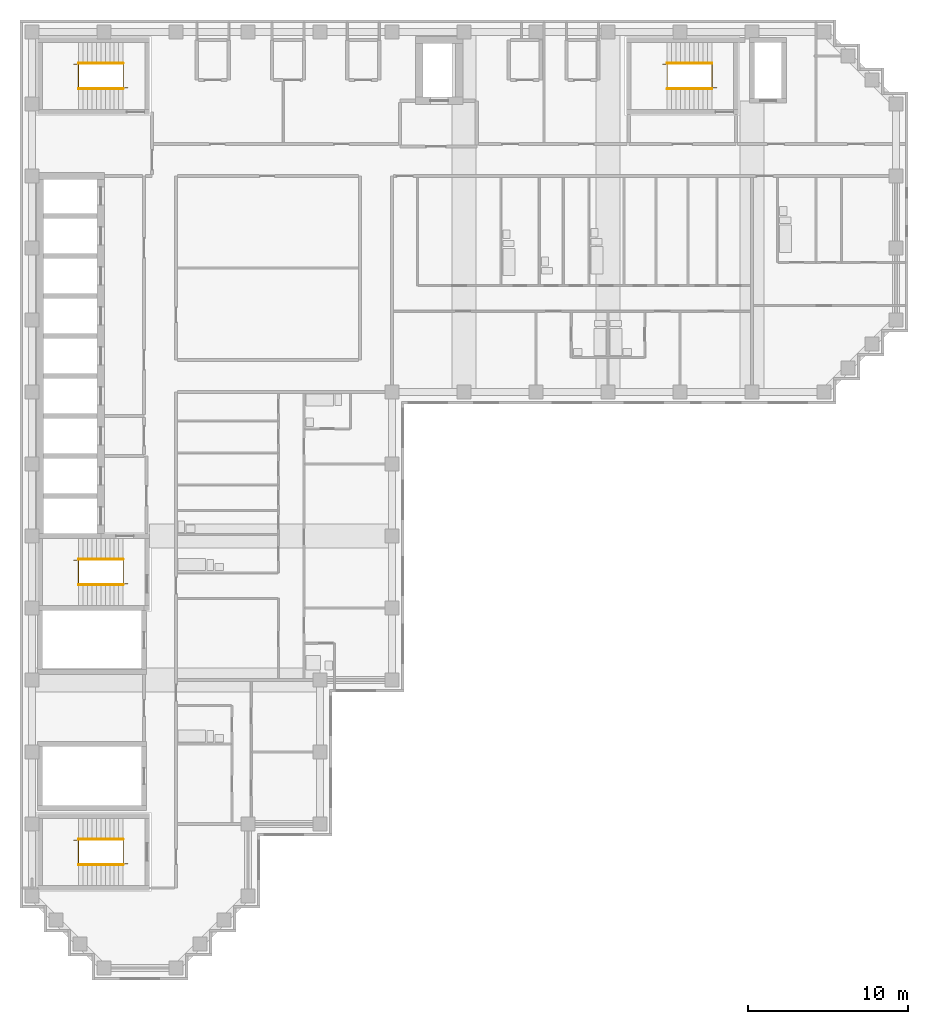
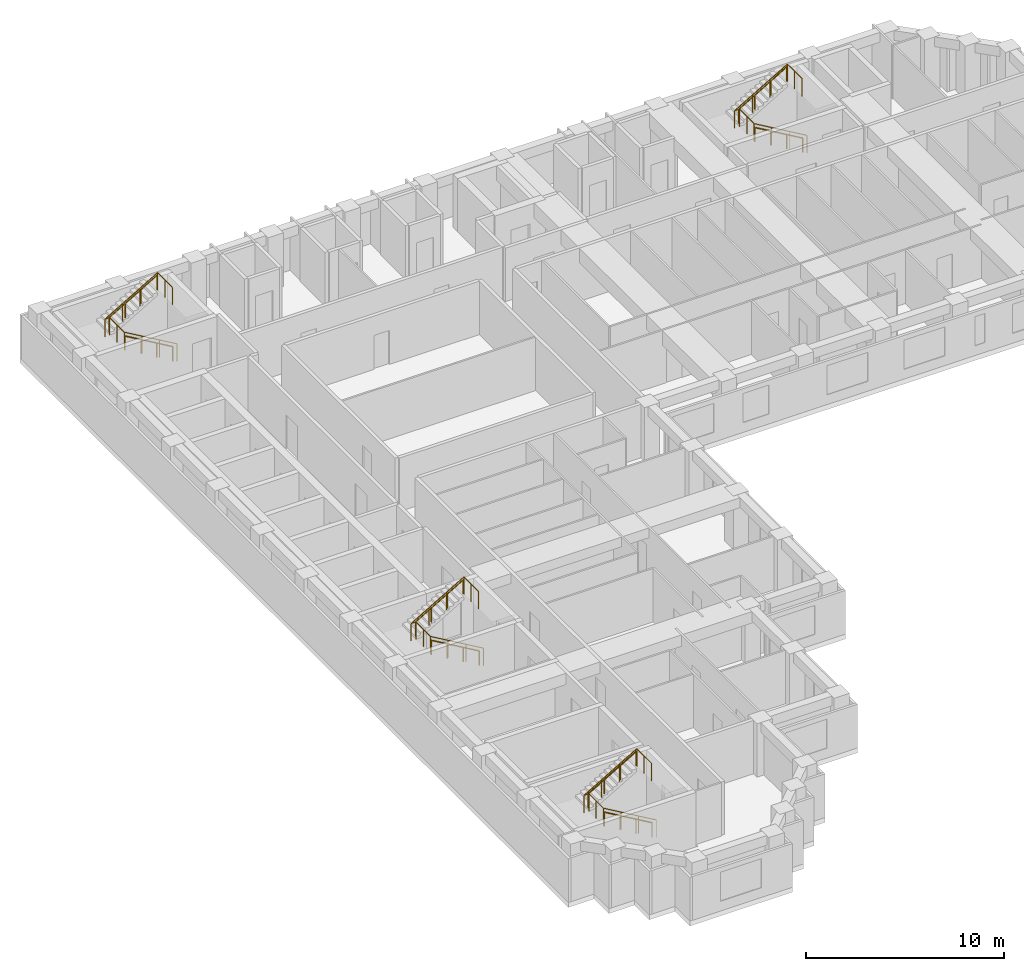
# One storey, part 9 of 10: 12 railings.
"""IFC4 building model written with IfcOpenShell, lengths in metres."""

from ifc_helpers import new_model, si_unit, direction, frame, origin, origin_2d, place, context, subcontext, project, spatial, circle, extrude, material, type_object, element, save


model = new_model("IFC4")

# Units and contexts
model_context = context("Model", 3, precision=1e-05, world=origin(), true_north=direction((0.0, 1.0)))
body_context = subcontext(model_context, "Body", "Model", "MODEL_VIEW")
ifc_project = project(units=[si_unit("LENGTHUNIT", "METRE"), si_unit("AREAUNIT", "SQUARE_METRE"), si_unit("VOLUMEUNIT", "CUBIC_METRE"), si_unit("PLANEANGLEUNIT", "RADIAN"), si_unit("MASSUNIT", "GRAM", prefix="KILO")], contexts=[model_context])

# Site, building, storey
site_placement = place(None, origin())
site = spatial("IfcSite", under=ifc_project, at=site_placement, CompositionType="ELEMENT")
building_placement = place(site_placement, origin())
building = spatial("IfcBuilding", under=site, at=building_placement, Name="Firuza Court", CompositionType="ELEMENT")
storey_placement = place(building_placement, frame((0.0, 0.0, 197.0)))
storey = spatial("IfcBuildingStorey", under=building, at=storey_placement, Name="L50", CompositionType="ELEMENT", Elevation=197.0)

# Railings
ifc_material_1 = material(Name="Steel S355", Category="steel")
railing_type_1 = type_object("IfcRailingType", Name="Handrail 900", PredefinedType="HANDRAIL", material=ifc_material_1)
railing_1_placement = place(storey_placement, frame((42.5, 54.949951171875, 0.16357421875)))
element("IfcRailing", 1, at=railing_1_placement, inside=storey, type_object=railing_type_1, Name="Handrail S1 flight 1", PredefinedType="HANDRAIL", context=body_context, shape_type="SweptSolid", body=[
    extrude(circle(Radius=0.02490234375, at=origin_2d()), frame((0.0, 0.0, 0.875), z_axis=(-0.863360870873, 0.0, 0.504586966384), x_axis=(0.0, -1.0, 0.0)), (0.0, 0.0, 1.0), 3.2431640625),
    extrude(circle(Radius=0.02001953125, at=origin_2d()), origin(), (0.0, 0.0, 1.0), 0.849853515625),
    extrude(circle(Radius=0.02001953125, at=origin_2d()), frame((-0.933349609375, 0.0, 0.54541015625)), (0.0, 0.0, 1.0), 0.849853515625),
    extrude(circle(Radius=0.02001953125, at=origin_2d()), frame((-1.86669921875, 0.0, 1.091064453125)), (0.0, 0.0, 1.0), 0.849853515625),
    extrude(circle(Radius=0.02001953125, at=origin_2d()), frame((-2.800048828125, 0.0, 1.636474609375)), (0.0, 0.0, 1.0), 0.849853515625),
])
railing_2_placement = place(storey_placement, frame((39.699951171875, 56.550048828125, 1.963623046875)))
element("IfcRailing", 2, at=railing_2_placement, inside=storey, type_object=railing_type_1, Name="Handrail S1 flight 2", PredefinedType="HANDRAIL", context=body_context, shape_type="SweptSolid", body=[
    extrude(circle(Radius=0.02490234375, at=origin_2d()), frame((0.0, 0.0, 0.875), z_axis=(0.863360870873, 0.0, 0.504586966384), x_axis=(0.0, 1.0, 0.0)), (0.0, 0.0, 1.0), 3.2431640625),
    extrude(circle(Radius=0.02001953125, at=origin_2d()), origin(), (0.0, 0.0, 1.0), 0.849853515625),
    extrude(circle(Radius=0.02001953125, at=origin_2d()), frame((0.933349609375, 0.0, 0.54541015625)), (0.0, 0.0, 1.0), 0.849853515625),
    extrude(circle(Radius=0.02001953125, at=origin_2d()), frame((1.86669921875, 0.0, 1.091064453125)), (0.0, 0.0, 1.0), 0.849853515625),
    extrude(circle(Radius=0.02001953125, at=origin_2d()), frame((2.800048828125, 0.0, 1.636474609375)), (0.0, 0.0, 1.0), 0.849853515625),
])
railing_3_placement = place(storey_placement, frame((5.699951171875, 23.949951171875, 0.16357421875)))
element("IfcRailing", 3, at=railing_3_placement, inside=storey, type_object=railing_type_1, Name="Handrail S2 flight 1", PredefinedType="HANDRAIL", context=body_context, shape_type="SweptSolid", body=[
    extrude(circle(Radius=0.02490234375, at=origin_2d()), frame((0.0, 0.0, 0.875), z_axis=(-0.863360870873, 0.0, 0.504586966384), x_axis=(0.0, -1.0, 0.0)), (0.0, 0.0, 1.0), 3.2431640625),
    extrude(circle(Radius=0.02001953125, at=origin_2d()), origin(), (0.0, 0.0, 1.0), 0.849853515625),
    extrude(circle(Radius=0.02001953125, at=origin_2d()), frame((-0.933349609375, 0.0, 0.54541015625)), (0.0, 0.0, 1.0), 0.849853515625),
    extrude(circle(Radius=0.02001953125, at=origin_2d()), frame((-1.86669921875, 0.0, 1.091064453125)), (0.0, 0.0, 1.0), 0.849853515625),
    extrude(circle(Radius=0.02001953125, at=origin_2d()), frame((-2.800048828125, 0.0, 1.636474609375)), (0.0, 0.0, 1.0), 0.849853515625),
])
railing_4_placement = place(storey_placement, frame((2.89990234375, 25.550048828125, 1.963623046875)))
element("IfcRailing", 4, at=railing_4_placement, inside=storey, type_object=railing_type_1, Name="Handrail S2 flight 2", PredefinedType="HANDRAIL", context=body_context, shape_type="SweptSolid", body=[
    extrude(circle(Radius=0.02490234375, at=origin_2d()), frame((0.0, 0.0, 0.875), z_axis=(0.863360870873, 0.0, 0.504586966384), x_axis=(0.0, 1.0, 0.0)), (0.0, 0.0, 1.0), 3.2431640625),
    extrude(circle(Radius=0.02001953125, at=origin_2d()), origin(), (0.0, 0.0, 1.0), 0.849853515625),
    extrude(circle(Radius=0.02001953125, at=origin_2d()), frame((0.933349609375, 0.0, 0.54541015625)), (0.0, 0.0, 1.0), 0.849853515625),
    extrude(circle(Radius=0.02001953125, at=origin_2d()), frame((1.86669921875, 0.0, 1.091064453125)), (0.0, 0.0, 1.0), 0.849853515625),
    extrude(circle(Radius=0.02001953125, at=origin_2d()), frame((2.800048828125, 0.0, 1.636474609375)), (0.0, 0.0, 1.0), 0.849853515625),
])
railing_5_placement = place(storey_placement, frame((5.699951171875, 54.949951171875, 0.16357421875)))
element("IfcRailing", 5, at=railing_5_placement, inside=storey, type_object=railing_type_1, Name="Handrail S3 flight 1", PredefinedType="HANDRAIL", context=body_context, shape_type="SweptSolid", body=[
    extrude(circle(Radius=0.02490234375, at=origin_2d()), frame((0.0, 0.0, 0.875), z_axis=(-0.863360870873, 0.0, 0.504586966384), x_axis=(0.0, -1.0, 0.0)), (0.0, 0.0, 1.0), 3.2431640625),
    extrude(circle(Radius=0.02001953125, at=origin_2d()), origin(), (0.0, 0.0, 1.0), 0.849853515625),
    extrude(circle(Radius=0.02001953125, at=origin_2d()), frame((-0.933349609375, 0.0, 0.54541015625)), (0.0, 0.0, 1.0), 0.849853515625),
    extrude(circle(Radius=0.02001953125, at=origin_2d()), frame((-1.86669921875, 0.0, 1.091064453125)), (0.0, 0.0, 1.0), 0.849853515625),
    extrude(circle(Radius=0.02001953125, at=origin_2d()), frame((-2.800048828125, 0.0, 1.636474609375)), (0.0, 0.0, 1.0), 0.849853515625),
])
railing_6_placement = place(storey_placement, frame((2.89990234375, 56.550048828125, 1.963623046875)))
element("IfcRailing", 6, at=railing_6_placement, inside=storey, type_object=railing_type_1, Name="Handrail S3 flight 2", PredefinedType="HANDRAIL", context=body_context, shape_type="SweptSolid", body=[
    extrude(circle(Radius=0.02490234375, at=origin_2d()), frame((0.0, 0.0, 0.875), z_axis=(0.863360870873, 0.0, 0.504586966384), x_axis=(0.0, 1.0, 0.0)), (0.0, 0.0, 1.0), 3.2431640625),
    extrude(circle(Radius=0.02001953125, at=origin_2d()), origin(), (0.0, 0.0, 1.0), 0.849853515625),
    extrude(circle(Radius=0.02001953125, at=origin_2d()), frame((0.933349609375, 0.0, 0.54541015625)), (0.0, 0.0, 1.0), 0.849853515625),
    extrude(circle(Radius=0.02001953125, at=origin_2d()), frame((1.86669921875, 0.0, 1.091064453125)), (0.0, 0.0, 1.0), 0.849853515625),
    extrude(circle(Radius=0.02001953125, at=origin_2d()), frame((2.800048828125, 0.0, 1.636474609375)), (0.0, 0.0, 1.0), 0.849853515625),
])
railing_7_placement = place(storey_placement, frame((5.699951171875, 6.449951171875, 0.16357421875)))
element("IfcRailing", 7, at=railing_7_placement, inside=storey, type_object=railing_type_1, Name="Handrail S5 flight 1", PredefinedType="HANDRAIL", context=body_context, shape_type="SweptSolid", body=[
    extrude(circle(Radius=0.02490234375, at=origin_2d()), frame((0.0, 0.0, 0.875), z_axis=(-0.863360870873, 0.0, 0.504586966384), x_axis=(0.0, -1.0, 0.0)), (0.0, 0.0, 1.0), 3.2431640625),
    extrude(circle(Radius=0.02001953125, at=origin_2d()), origin(), (0.0, 0.0, 1.0), 0.849853515625),
    extrude(circle(Radius=0.02001953125, at=origin_2d()), frame((-0.933349609375, 0.0, 0.54541015625)), (0.0, 0.0, 1.0), 0.849853515625),
    extrude(circle(Radius=0.02001953125, at=origin_2d()), frame((-1.86669921875, 0.0, 1.091064453125)), (0.0, 0.0, 1.0), 0.849853515625),
    extrude(circle(Radius=0.02001953125, at=origin_2d()), frame((-2.800048828125, 0.0, 1.636474609375)), (0.0, 0.0, 1.0), 0.849853515625),
])
railing_8_placement = place(storey_placement, frame((2.89990234375, 8.050048828125, 1.963623046875)))
element("IfcRailing", 8, at=railing_8_placement, inside=storey, type_object=railing_type_1, Name="Handrail S5 flight 2", PredefinedType="HANDRAIL", context=body_context, shape_type="SweptSolid", body=[
    extrude(circle(Radius=0.02490234375, at=origin_2d()), frame((0.0, 0.0, 0.875), z_axis=(0.863360870873, 0.0, 0.504586966384), x_axis=(0.0, 1.0, 0.0)), (0.0, 0.0, 1.0), 3.2431640625),
    extrude(circle(Radius=0.02001953125, at=origin_2d()), origin(), (0.0, 0.0, 1.0), 0.849853515625),
    extrude(circle(Radius=0.02001953125, at=origin_2d()), frame((0.933349609375, 0.0, 0.54541015625)), (0.0, 0.0, 1.0), 0.849853515625),
    extrude(circle(Radius=0.02001953125, at=origin_2d()), frame((1.86669921875, 0.0, 1.091064453125)), (0.0, 0.0, 1.0), 0.849853515625),
    extrude(circle(Radius=0.02001953125, at=origin_2d()), frame((2.800048828125, 0.0, 1.636474609375)), (0.0, 0.0, 1.0), 0.849853515625),
])
ifc_material_2 = material(Name="Steel S355", Category="steel")
railing_type_2 = type_object("IfcRailingType", Name="Stair guard 1100", PredefinedType="GUARDRAIL", material=ifc_material_2)
railing_9_placement = place(storey_placement, frame((42.780029296875, 55.010009765625, 0.0)))
element("IfcRailing", 9, at=railing_9_placement, inside=storey, type_object=railing_type_2, Name="Stair well guard S1", PredefinedType="GUARDRAIL", context=body_context, shape_type="SweptSolid", body=[
    extrude(circle(Radius=0.02490234375, at=origin_2d()), frame((0.0, 0.0, 1.0751953125), z_axis=(-0.863371556955, 0.0, 0.504568681787), x_axis=(0.0, -1.0, 0.0)), (0.0, 0.0, 1.0), 3.5673828125),
    extrude(circle(Radius=0.02490234375, at=origin_2d()), frame((-3.080078125, 0.0, 2.875), z_axis=(0.0, 1.0, 0.0), x_axis=(-1.0, 0.0, 0.0)), (0.0, 0.0, 1.0), 1.47998046875),
    extrude(circle(Radius=0.02490234375, at=origin_2d()), frame((-3.080078125, 1.47998046875, 2.875), z_axis=(-1.0, 0.0, 0.0), x_axis=(0.0, -1.0, 0.0)), (0.0, 0.0, 1.0), 0.280029296875),
    extrude(circle(Radius=0.02490234375, at=origin_2d()), frame((-3.360107421875, 1.47998046875, 2.875), z_axis=(0.863371556955, 0.0, 0.504568681787), x_axis=(0.0, 1.0, 0.0)), (0.0, 0.0, 1.0), 3.5673828125),
    extrude(circle(Radius=0.02490234375, at=origin_2d()), frame((-0.280029296875, 1.47998046875, 4.67529296875), z_axis=(0.0, -1.0, 0.0), x_axis=(1.0, 0.0, 0.0)), (0.0, 0.0, 1.0), 1.47998046875),
    extrude(circle(Radius=0.02490234375, at=origin_2d()), origin(), (0.0, 0.0, 1.0), 1.050048828125),
    extrude(circle(Radius=0.02490234375, at=origin_2d()), frame((-1.026611328125, 0.0, 0.60009765625)), (0.0, 0.0, 1.0), 1.050048828125),
    extrude(circle(Radius=0.02490234375, at=origin_2d()), frame((-2.053466796875, 0.0, 1.199951171875)), (0.0, 0.0, 1.0), 1.050048828125),
    extrude(circle(Radius=0.02490234375, at=origin_2d()), frame((-3.080078125, 0.0, 1.800048828125)), (0.0, 0.0, 1.0), 1.050048828125),
    extrude(circle(Radius=0.02490234375, at=origin_2d()), frame((-3.080078125, 0.739990234375, 1.800048828125)), (0.0, 0.0, 1.0), 1.050048828125),
    extrude(circle(Radius=0.02490234375, at=origin_2d()), frame((-3.080078125, 1.47998046875, 1.800048828125)), (0.0, 0.0, 1.0), 1.050048828125),
    extrude(circle(Radius=0.02490234375, at=origin_2d()), frame((-3.360107421875, 1.47998046875, 1.800048828125)), (0.0, 0.0, 1.0), 1.050048828125),
    extrude(circle(Radius=0.02490234375, at=origin_2d()), frame((-2.33349609375, 1.47998046875, 2.400146484375)), (0.0, 0.0, 1.0), 1.050048828125),
    extrude(circle(Radius=0.02490234375, at=origin_2d()), frame((-1.306640625, 1.47998046875, 3.0)), (0.0, 0.0, 1.0), 1.050048828125),
    extrude(circle(Radius=0.02490234375, at=origin_2d()), frame((-0.280029296875, 1.47998046875, 3.60009765625)), (0.0, 0.0, 1.0), 1.050048828125),
    extrude(circle(Radius=0.02490234375, at=origin_2d()), frame((-0.280029296875, 0.739990234375, 3.60009765625)), (0.0, 0.0, 1.0), 1.050048828125),
    extrude(circle(Radius=0.02490234375, at=origin_2d()), frame((-0.280029296875, 0.0, 3.60009765625)), (0.0, 0.0, 1.0), 1.050048828125),
])
railing_10_placement = place(storey_placement, frame((5.97998046875, 24.010009765625, 0.0)))
element("IfcRailing", 10, at=railing_10_placement, inside=storey, type_object=railing_type_2, Name="Stair well guard S2", PredefinedType="GUARDRAIL", context=body_context, shape_type="SweptSolid", body=[
    extrude(circle(Radius=0.02490234375, at=origin_2d()), frame((0.0, 0.0, 1.0751953125), z_axis=(-0.863371556955, 0.0, 0.504568681787), x_axis=(0.0, -1.0, 0.0)), (0.0, 0.0, 1.0), 3.5673828125),
    extrude(circle(Radius=0.02490234375, at=origin_2d()), frame((-3.080078125, 0.0, 2.875), z_axis=(0.0, 1.0, 0.0), x_axis=(-1.0, 0.0, 0.0)), (0.0, 0.0, 1.0), 1.47998046875),
    extrude(circle(Radius=0.02490234375, at=origin_2d()), frame((-3.080078125, 1.47998046875, 2.875), z_axis=(-1.0, 0.0, 0.0), x_axis=(0.0, -1.0, 0.0)), (0.0, 0.0, 1.0), 0.27978515625),
    extrude(circle(Radius=0.02490234375, at=origin_2d()), frame((-3.35986328125, 1.47998046875, 2.875), z_axis=(0.863354132664, 0.0, 0.504598495452), x_axis=(0.0, 1.0, 0.0)), (0.0, 0.0, 1.0), 3.5673828125),
    extrude(circle(Radius=0.02490234375, at=origin_2d()), frame((-0.280029296875, 1.47998046875, 4.67529296875), z_axis=(0.0, -1.0, 0.0), x_axis=(1.0, 0.0, 0.0)), (0.0, 0.0, 1.0), 1.47998046875),
    extrude(circle(Radius=0.02490234375, at=origin_2d()), origin(), (0.0, 0.0, 1.0), 1.050048828125),
    extrude(circle(Radius=0.02490234375, at=origin_2d()), frame((-1.026611328125, 0.0, 0.60009765625)), (0.0, 0.0, 1.0), 1.050048828125),
    extrude(circle(Radius=0.02490234375, at=origin_2d()), frame((-2.053466796875, 0.0, 1.199951171875)), (0.0, 0.0, 1.0), 1.050048828125),
    extrude(circle(Radius=0.02490234375, at=origin_2d()), frame((-3.080078125, 0.0, 1.800048828125)), (0.0, 0.0, 1.0), 1.050048828125),
    extrude(circle(Radius=0.02490234375, at=origin_2d()), frame((-3.080078125, 0.739990234375, 1.800048828125)), (0.0, 0.0, 1.0), 1.050048828125),
    extrude(circle(Radius=0.02490234375, at=origin_2d()), frame((-3.080078125, 1.47998046875, 1.800048828125)), (0.0, 0.0, 1.0), 1.050048828125),
    extrude(circle(Radius=0.02490234375, at=origin_2d()), frame((-3.35986328125, 1.47998046875, 1.800048828125)), (0.0, 0.0, 1.0), 1.050048828125),
    extrude(circle(Radius=0.02490234375, at=origin_2d()), frame((-2.333251953125, 1.47998046875, 2.400146484375)), (0.0, 0.0, 1.0), 1.050048828125),
    extrude(circle(Radius=0.02490234375, at=origin_2d()), frame((-1.306640625, 1.47998046875, 3.0)), (0.0, 0.0, 1.0), 1.050048828125),
    extrude(circle(Radius=0.02490234375, at=origin_2d()), frame((-0.280029296875, 1.47998046875, 3.60009765625)), (0.0, 0.0, 1.0), 1.050048828125),
    extrude(circle(Radius=0.02490234375, at=origin_2d()), frame((-0.280029296875, 0.739990234375, 3.60009765625)), (0.0, 0.0, 1.0), 1.050048828125),
    extrude(circle(Radius=0.02490234375, at=origin_2d()), frame((-0.280029296875, 0.0, 3.60009765625)), (0.0, 0.0, 1.0), 1.050048828125),
])
railing_11_placement = place(storey_placement, frame((5.97998046875, 55.010009765625, 0.0)))
element("IfcRailing", 11, at=railing_11_placement, inside=storey, type_object=railing_type_2, Name="Stair well guard S3", PredefinedType="GUARDRAIL", context=body_context, shape_type="SweptSolid", body=[
    extrude(circle(Radius=0.02490234375, at=origin_2d()), frame((0.0, 0.0, 1.0751953125), z_axis=(-0.863371556955, 0.0, 0.504568681787), x_axis=(0.0, -1.0, 0.0)), (0.0, 0.0, 1.0), 3.5673828125),
    extrude(circle(Radius=0.02490234375, at=origin_2d()), frame((-3.080078125, 0.0, 2.875), z_axis=(0.0, 1.0, 0.0), x_axis=(-1.0, 0.0, 0.0)), (0.0, 0.0, 1.0), 1.47998046875),
    extrude(circle(Radius=0.02490234375, at=origin_2d()), frame((-3.080078125, 1.47998046875, 2.875), z_axis=(-1.0, 0.0, 0.0), x_axis=(0.0, -1.0, 0.0)), (0.0, 0.0, 1.0), 0.27978515625),
    extrude(circle(Radius=0.02490234375, at=origin_2d()), frame((-3.35986328125, 1.47998046875, 2.875), z_axis=(0.863354132664, 0.0, 0.504598495452), x_axis=(0.0, 1.0, 0.0)), (0.0, 0.0, 1.0), 3.5673828125),
    extrude(circle(Radius=0.02490234375, at=origin_2d()), frame((-0.280029296875, 1.47998046875, 4.67529296875), z_axis=(0.0, -1.0, 0.0), x_axis=(1.0, 0.0, 0.0)), (0.0, 0.0, 1.0), 1.47998046875),
    extrude(circle(Radius=0.02490234375, at=origin_2d()), origin(), (0.0, 0.0, 1.0), 1.050048828125),
    extrude(circle(Radius=0.02490234375, at=origin_2d()), frame((-1.026611328125, 0.0, 0.60009765625)), (0.0, 0.0, 1.0), 1.050048828125),
    extrude(circle(Radius=0.02490234375, at=origin_2d()), frame((-2.053466796875, 0.0, 1.199951171875)), (0.0, 0.0, 1.0), 1.050048828125),
    extrude(circle(Radius=0.02490234375, at=origin_2d()), frame((-3.080078125, 0.0, 1.800048828125)), (0.0, 0.0, 1.0), 1.050048828125),
    extrude(circle(Radius=0.02490234375, at=origin_2d()), frame((-3.080078125, 0.739990234375, 1.800048828125)), (0.0, 0.0, 1.0), 1.050048828125),
    extrude(circle(Radius=0.02490234375, at=origin_2d()), frame((-3.080078125, 1.47998046875, 1.800048828125)), (0.0, 0.0, 1.0), 1.050048828125),
    extrude(circle(Radius=0.02490234375, at=origin_2d()), frame((-3.35986328125, 1.47998046875, 1.800048828125)), (0.0, 0.0, 1.0), 1.050048828125),
    extrude(circle(Radius=0.02490234375, at=origin_2d()), frame((-2.333251953125, 1.47998046875, 2.400146484375)), (0.0, 0.0, 1.0), 1.050048828125),
    extrude(circle(Radius=0.02490234375, at=origin_2d()), frame((-1.306640625, 1.47998046875, 3.0)), (0.0, 0.0, 1.0), 1.050048828125),
    extrude(circle(Radius=0.02490234375, at=origin_2d()), frame((-0.280029296875, 1.47998046875, 3.60009765625)), (0.0, 0.0, 1.0), 1.050048828125),
    extrude(circle(Radius=0.02490234375, at=origin_2d()), frame((-0.280029296875, 0.739990234375, 3.60009765625)), (0.0, 0.0, 1.0), 1.050048828125),
    extrude(circle(Radius=0.02490234375, at=origin_2d()), frame((-0.280029296875, 0.0, 3.60009765625)), (0.0, 0.0, 1.0), 1.050048828125),
])
railing_12_placement = place(storey_placement, frame((5.97998046875, 6.510009765625, 0.0)))
element("IfcRailing", 12, at=railing_12_placement, inside=storey, type_object=railing_type_2, Name="Stair well guard S5", PredefinedType="GUARDRAIL", context=body_context, shape_type="SweptSolid", body=[
    extrude(circle(Radius=0.02490234375, at=origin_2d()), frame((0.0, 0.0, 1.0751953125), z_axis=(-0.863371556955, 0.0, 0.504568681787), x_axis=(0.0, -1.0, 0.0)), (0.0, 0.0, 1.0), 3.5673828125),
    extrude(circle(Radius=0.02490234375, at=origin_2d()), frame((-3.080078125, 0.0, 2.875), z_axis=(0.0, 1.0, 0.0), x_axis=(-1.0, 0.0, 0.0)), (0.0, 0.0, 1.0), 1.47998046875),
    extrude(circle(Radius=0.02490234375, at=origin_2d()), frame((-3.080078125, 1.47998046875, 2.875), z_axis=(-1.0, 0.0, 0.0), x_axis=(0.0, -1.0, 0.0)), (0.0, 0.0, 1.0), 0.27978515625),
    extrude(circle(Radius=0.02490234375, at=origin_2d()), frame((-3.35986328125, 1.47998046875, 2.875), z_axis=(0.863354132664, 0.0, 0.504598495452), x_axis=(0.0, 1.0, 0.0)), (0.0, 0.0, 1.0), 3.5673828125),
    extrude(circle(Radius=0.02490234375, at=origin_2d()), frame((-0.280029296875, 1.47998046875, 4.67529296875), z_axis=(0.0, -1.0, 0.0), x_axis=(1.0, 0.0, 0.0)), (0.0, 0.0, 1.0), 1.47998046875),
    extrude(circle(Radius=0.02490234375, at=origin_2d()), origin(), (0.0, 0.0, 1.0), 1.050048828125),
    extrude(circle(Radius=0.02490234375, at=origin_2d()), frame((-1.026611328125, 0.0, 0.60009765625)), (0.0, 0.0, 1.0), 1.050048828125),
    extrude(circle(Radius=0.02490234375, at=origin_2d()), frame((-2.053466796875, 0.0, 1.199951171875)), (0.0, 0.0, 1.0), 1.050048828125),
    extrude(circle(Radius=0.02490234375, at=origin_2d()), frame((-3.080078125, 0.0, 1.800048828125)), (0.0, 0.0, 1.0), 1.050048828125),
    extrude(circle(Radius=0.02490234375, at=origin_2d()), frame((-3.080078125, 0.739990234375, 1.800048828125)), (0.0, 0.0, 1.0), 1.050048828125),
    extrude(circle(Radius=0.02490234375, at=origin_2d()), frame((-3.080078125, 1.47998046875, 1.800048828125)), (0.0, 0.0, 1.0), 1.050048828125),
    extrude(circle(Radius=0.02490234375, at=origin_2d()), frame((-3.35986328125, 1.47998046875, 1.800048828125)), (0.0, 0.0, 1.0), 1.050048828125),
    extrude(circle(Radius=0.02490234375, at=origin_2d()), frame((-2.333251953125, 1.47998046875, 2.400146484375)), (0.0, 0.0, 1.0), 1.050048828125),
    extrude(circle(Radius=0.02490234375, at=origin_2d()), frame((-1.306640625, 1.47998046875, 3.0)), (0.0, 0.0, 1.0), 1.050048828125),
    extrude(circle(Radius=0.02490234375, at=origin_2d()), frame((-0.280029296875, 1.47998046875, 3.60009765625)), (0.0, 0.0, 1.0), 1.050048828125),
    extrude(circle(Radius=0.02490234375, at=origin_2d()), frame((-0.280029296875, 0.739990234375, 3.60009765625)), (0.0, 0.0, 1.0), 1.050048828125),
    extrude(circle(Radius=0.02490234375, at=origin_2d()), frame((-0.280029296875, 0.0, 3.60009765625)), (0.0, 0.0, 1.0), 1.050048828125),
])

save(model, "model.ifc")
